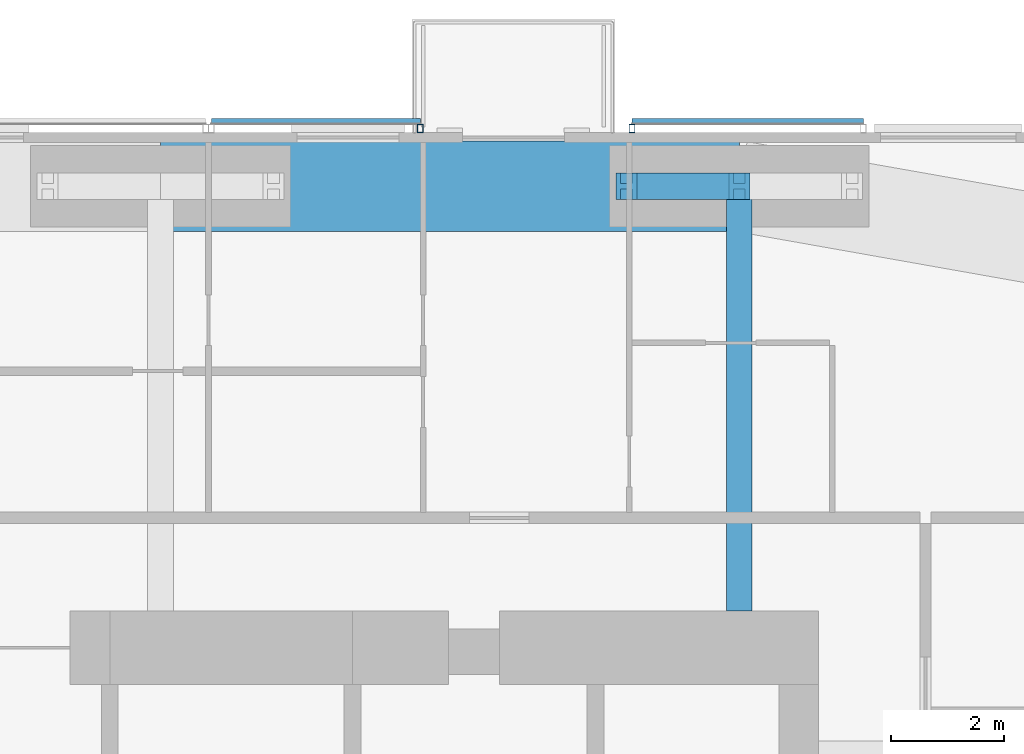
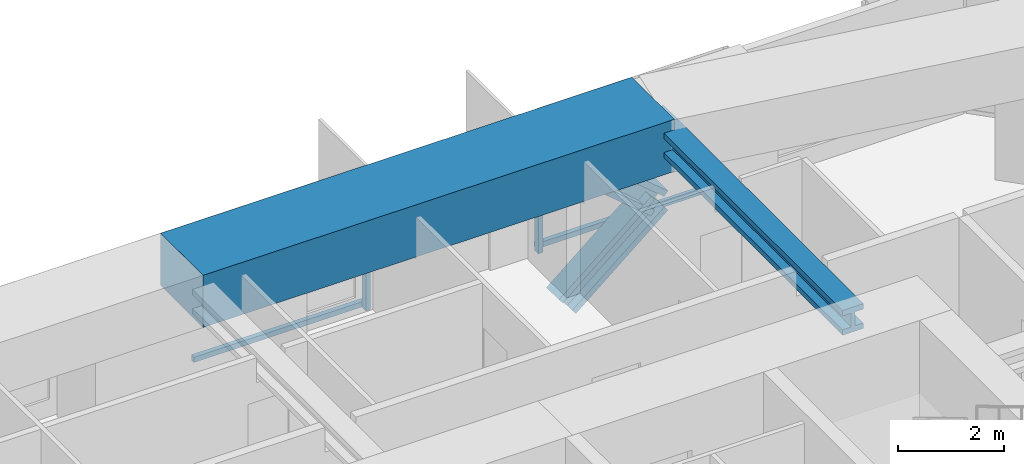
# One storey, part 12 of 22: 6 members, 2 beams, 2 elements without a shape of their own.
"""IFC4 building model written with IfcOpenShell, lengths in metres."""

from ifc_helpers import new_model, si_unit, direction, frame, origin, origin_2d, place, context, subcontext, project, spatial, rectangle, hollow_rectangle, i_section, extrude, material, material_profile, profile_set, type_object, element, aggregate, save


model = new_model("IFC4")

# Units and contexts
model_context = context("Model", 3, precision=1e-05, world=origin(), true_north=direction((0.0, 1.0)))
body_context = subcontext(model_context, "Body", "Model", "MODEL_VIEW")
ifc_project = project(units=[si_unit("LENGTHUNIT", "METRE"), si_unit("AREAUNIT", "SQUARE_METRE"), si_unit("VOLUMEUNIT", "CUBIC_METRE"), si_unit("PLANEANGLEUNIT", "RADIAN"), si_unit("MASSUNIT", "GRAM", prefix="KILO")], contexts=[model_context])

# Site, building, storey
site_placement = place(None, origin())
site = spatial("IfcSite", under=ifc_project, at=site_placement, CompositionType="ELEMENT")
building_placement = place(site_placement, origin())
building = spatial("IfcBuilding", under=site, at=building_placement, Name="Jalousie Tower", CompositionType="ELEMENT")
storey_placement = place(building_placement, frame((0.0, 0.0, 177.800048828125)))
storey = spatial("IfcBuildingStorey", under=building, at=storey_placement, Name="L48", CompositionType="ELEMENT", Elevation=177.800048828125)

# Beam
ifc_material_1 = material(Name="Steel ASTM A992 Grade 50", Category="steel")
ifc_material_profile_1 = material_profile(ifc_material_1, i_section(OverallWidth=0.45458984375, OverallDepth=0.569091796875, WebThickness=0.077880859375, FlangeThickness=0.124755859375, at=origin_2d()), Name="W14X730")
ifc_profile_set_1 = profile_set([ifc_material_profile_1], Name="Steel ASTM A992 Grade 50")
beam_type_1 = type_object("IfcBeamType", Name="LEAN COLLECTOR W14X730", PredefinedType="BEAM", material=ifc_profile_set_1)
beam_1_placement = place(storey_placement, frame((42.75, 35.050048828125, 2.825439453125), z_axis=(0.0, -1.0, 0.0), x_axis=(1.0, 0.0, 0.0)))
element("IfcBeam", 1, at=beam_1_placement, inside=storey, type_object=beam_type_1, Name="Lean collector under L49", PredefinedType="BEAM", context=body_context, shape_type="SweptSolid", body=[
    extrude(i_section(OverallWidth=0.45458984375, OverallDepth=0.569091796875, WebThickness=0.077880859375, FlangeThickness=0.124755859375, at=origin_2d()), origin(), (0.0, 0.0, 1.0), 7.525146484375),
])

# Members
ifc_material_2 = material(Name="Steel ASTM A992 Grade 50", Category="steel")
ifc_material_profile_2 = material_profile(ifc_material_2, i_section(OverallWidth=0.472412109375, OverallDepth=0.5791015625, WebThickness=0.094970703125, FlangeThickness=0.1298828125, at=origin_2d()), Name="W14X808")
ifc_profile_set_2 = profile_set([ifc_material_profile_2], Name="Steel ASTM A992 Grade 50")
member_type_1 = type_object("IfcMemberType", Name="PERIMETER BRACE W14X808", PredefinedType="BRACE", material=ifc_profile_set_2)
for number, where, z_axis, x_axis, name in (
    (2, (40.75, 35.050048828125, -0.60009765625), (0.766638753323, 0.0, 0.642078672674), (0.0, 1.0, 0.0), "Perimeter brace 09 L48 part 1"),
    (3, (42.75, 35.050048828125, 1.074951171875), (-0.766638753323, 0.0, 0.642078672674), (0.0, -1.0, 0.0), "Perimeter brace 09 L48 part 4"),
):
    element("IfcMember", number, at=place(storey_placement, frame(where, z_axis=z_axis, x_axis=x_axis)), inside=storey, type_object=member_type_1, Name=name, PredefinedType="BRACE", context=body_context, shape_type="SweptSolid", body=[
        extrude(i_section(OverallWidth=0.472412109375, OverallDepth=0.5791015625, WebThickness=0.094970703125, FlangeThickness=0.1298828125, at=origin_2d()), origin(), (0.0, 0.0, 1.0), 2.60888671875),
    ])

# Beam
ifc_material_3 = material(Name="Concrete f'c 40 MPa", Category="concrete")
ifc_material_profile_3 = material_profile(ifc_material_3, rectangle(XDim=1.60009765625, YDim=1.199951171875, at=origin_2d()), Name="RC 1600x1200")
ifc_profile_set_3 = profile_set([ifc_material_profile_3], Name="Concrete f'c 40 MPa")
beam_type_2 = type_object("IfcBeamType", Name="RC BEAM 1600x1200", PredefinedType="BEAM", material=ifc_profile_set_3)
beam_2_placement = place(storey_placement, frame((42.75, 35.050048828125, 2.75), z_axis=(-1.0, 0.0, 0.0), x_axis=(0.0, -1.0, 0.0)))
element("IfcBeam", 4, at=beam_2_placement, inside=storey, type_object=beam_type_2, Name="Edge band beam 09-10 under L49", PredefinedType="BEAM", context=body_context, shape_type="SweptSolid", body=[
    extrude(rectangle(XDim=1.60009765625, YDim=1.199951171875, at=origin_2d()), origin(), (0.0, 0.0, 1.0), 10.25),
])

# Curtain wall, member
ifc_material_4 = material(Name="Perforated aluminium sheet", Category="aluminium")
curtain_wall_type = type_object("IfcCurtainWallType", Name="SOLAR SCREEN SS-1", PredefinedType="USERDEFINED", material=ifc_material_4)
curtain_wall_1_placement = place(storey_placement, origin())
curtain_wall_1 = element("IfcCurtainWall", 5, at=curtain_wall_1_placement, inside=storey, type_object=curtain_wall_type, Name="Solar screen L48", ObjectType="SOLAR SCREEN SS-1", PredefinedType="USERDEFINED")
ifc_material_5 = material(Name="Steel ASTM A500 Grade C", Category="steel")
ifc_material_profile_4 = material_profile(ifc_material_5, hollow_rectangle(XDim=0.1015625, YDim=0.15234375, WallThickness=0.00634765625, at=origin_2d()), Name="HSS6X4X1/4")
ifc_profile_set_4 = profile_set([ifc_material_profile_4], Name="Steel ASTM A500 Grade C")
member_type_2 = type_object("IfcMemberType", Name="SOLAR SCREEN SS-1 MULLION", PredefinedType="MULLION", material=ifc_profile_set_4)
member_1_placement = place(storey_placement, frame((40.85009765625, 36.0712890625, -0.1201171875), z_axis=(0.0, 0.0, 1.0), x_axis=(-1.0, 0.0, 0.0)))
member_1 = element("IfcMember", 6, at=member_1_placement, type_object=member_type_2, Name="SS1 post 2", PredefinedType="MULLION", context=body_context, shape_type="SweptSolid", body=[
    extrude(hollow_rectangle(XDim=0.1015625, YDim=0.15234375, WallThickness=0.00634765625, at=origin_2d()), origin(), (0.0, 0.0, 1.0), 3.22998046875),
])

curtain_wall_2_placement = place(storey_placement, origin())
curtain_wall_2 = element("IfcCurtainWall", 7, at=curtain_wall_2_placement, inside=storey, type_object=curtain_wall_type, Name="Solar screen L48", ObjectType="SOLAR SCREEN SS-1", PredefinedType="USERDEFINED")
member_2_placement = place(storey_placement, frame((37.10009765625, 36.0712890625, -0.1201171875), z_axis=(0.0, 0.0, 1.0), x_axis=(-1.0, 0.0, 0.0)))
member_2 = element("IfcMember", 8, at=member_2_placement, type_object=member_type_2, Name="SS1 post 1", PredefinedType="MULLION", context=body_context, shape_type="SweptSolid", body=[
    extrude(hollow_rectangle(XDim=0.1015625, YDim=0.15234375, WallThickness=0.00634765625, at=origin_2d()), origin(), (0.0, 0.0, 1.0), 3.22998046875),
])

# Member
ifc_material_6 = material(Name="Extruded aluminium screen rail", Category="aluminium")
ifc_material_profile_5 = material_profile(ifc_material_6, rectangle(XDim=0.1015625, YDim=0.1201171875, at=origin_2d()), Name="RAIL 102x120")
ifc_profile_set_5 = profile_set([ifc_material_profile_5], Name="Extruded aluminium screen rail")
member_type_3 = type_object("IfcMemberType", Name="SOLAR SCREEN SS-1 TRANSOM", PredefinedType="USERDEFINED", material=ifc_profile_set_5)
member_3_placement = place(storey_placement, frame((44.94921875, 36.1982421875, -0.06005859375), z_axis=(-1.0, 0.0, 0.0), x_axis=(0.0, -1.0, 0.0)))
member_3 = element("IfcMember", 9, at=member_3_placement, type_object=member_type_3, Name="SS1 rail", ObjectType="TRANSOM", PredefinedType="USERDEFINED", context=body_context, shape_type="SweptSolid", body=[
    extrude(rectangle(XDim=0.1015625, YDim=0.1201171875, at=origin_2d()), origin(), (0.0, 0.0, 1.0), 4.09912109375),
])

aggregate(curtain_wall_1, [member_1, member_3])

member_4_placement = place(storey_placement, frame((37.10009765625, 36.1982421875, -0.06005859375), z_axis=(-1.0, 0.0, 0.0), x_axis=(0.0, -1.0, 0.0)))
member_4 = element("IfcMember", 10, at=member_4_placement, type_object=member_type_3, Name="SS1 rail", ObjectType="TRANSOM", PredefinedType="USERDEFINED", context=body_context, shape_type="SweptSolid", body=[
    extrude(rectangle(XDim=0.1015625, YDim=0.1201171875, at=origin_2d()), origin(), (0.0, 0.0, 1.0), 3.7001953125),
])

aggregate(curtain_wall_2, [member_2, member_4])

save(model, "model.ifc")
